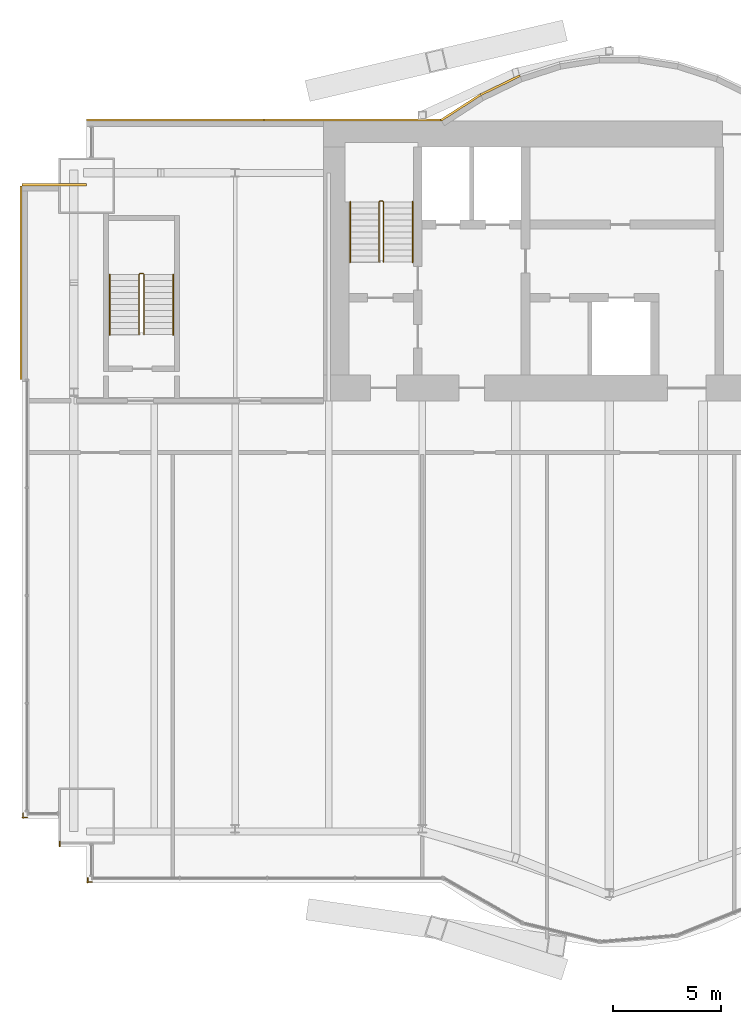
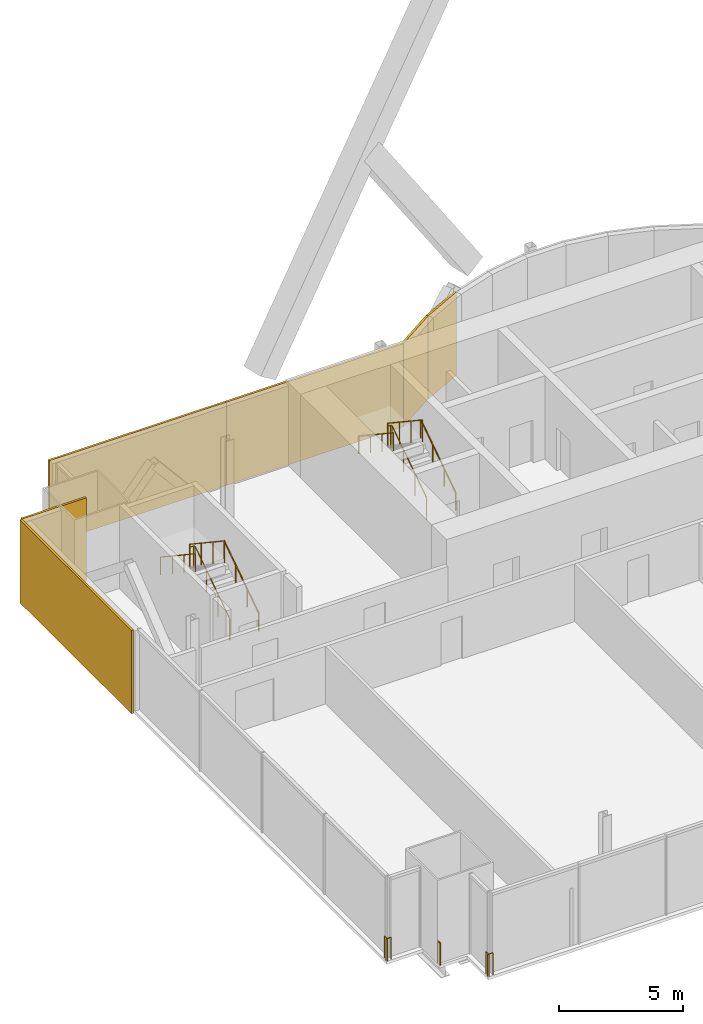
# One storey, part 21 of 23: 9 railings, 6 coverings.
"""IFC4 building model written with IfcOpenShell, lengths in metres."""

from ifc_helpers import new_model, si_unit, direction, frame, origin, origin_2d, place, context, subcontext, project, spatial, rectangle, circle, extrude, material, layer, layer_set, type_object, element, save


model = new_model("IFC4")

# Units and contexts
model_context = context("Model", 3, precision=1e-05, world=origin(), true_north=direction((0.0, 1.0)))
body_context = subcontext(model_context, "Body", "Model", "MODEL_VIEW")
ifc_project = project(units=[si_unit("LENGTHUNIT", "METRE"), si_unit("AREAUNIT", "SQUARE_METRE"), si_unit("VOLUMEUNIT", "CUBIC_METRE"), si_unit("PLANEANGLEUNIT", "RADIAN"), si_unit("MASSUNIT", "GRAM", prefix="KILO")], contexts=[model_context])

# Site, building, storey
site_placement = place(None, origin())
site = spatial("IfcSite", under=ifc_project, at=site_placement, CompositionType="ELEMENT")
building_placement = place(site_placement, origin())
building = spatial("IfcBuilding", under=site, at=building_placement, Name="Bicima Exchange Tower", CompositionType="ELEMENT")
storey_placement = place(building_placement, frame((0.0, 0.0, 152.699951171875)))
storey = spatial("IfcBuildingStorey", under=building, at=storey_placement, Name="L33", CompositionType="ELEMENT", Elevation=152.699951171875)

# Coverings
ifc_material_1 = material(Name="Bronze metal cladding")
ifc_layer_1 = layer(ifc_material_1, 0.004)
ifc_material_2 = material(Name="Ventilated cavity")
ifc_layer_2 = layer(ifc_material_2, 0.06)
ifc_material_3 = material(Name="Galvanised steel rail and mineral wool", Category="steel")
ifc_layer_3 = layer(ifc_material_3, 0.036)
ifc_layer_set = layer_set([ifc_layer_1, ifc_layer_2, ifc_layer_3], Name="Ventilated cavity")
covering_type = type_object("IfcCoveringType", Name="Bronze metal cladding panel 100", PredefinedType="CLADDING", material=ifc_layer_set)
covering_1_placement = place(storey_placement, frame((-13.771728515625, 1.674560546875, -0.14990234375), z_axis=(0.0, 0.0, 1.0), x_axis=(-0.899818346812, -0.436264762204, 0.0)))
element("IfcCovering", 1, at=covering_1_placement, inside=storey, type_object=covering_type, Name="Bronze cladding L33 18.1", PredefinedType="CLADDING", context=body_context, shape_type="SweptSolid", body=[
    extrude(rectangle(XDim=2.03759765625, YDim=0.10009765625, at=origin_2d()), origin(), (0.0, 0.0, 1.0), 4.10009765625),
])
covering_2_placement = place(storey_placement, frame((-15.610595703125, 0.634521484375, -0.14990234375), z_axis=(0.0, 0.0, 1.0), x_axis=(-0.839790466384, -0.542910648791, 0.0)))
element("IfcCovering", 2, at=covering_2_placement, inside=storey, type_object=covering_type, Name="Bronze cladding L33 19.1", PredefinedType="CLADDING", context=body_context, shape_type="SweptSolid", body=[
    extrude(rectangle(XDim=2.18310546875, YDim=0.10009765625, at=origin_2d()), origin(), (0.0, 0.0, 1.0), 4.10009765625),
])
for number, where, z_axis, x_axis, name in (
    (3, (-20.625, 0.050048828125, -0.14990234375), (0.0, 0.0, 1.0), (-1.0, 0.0, 0.0), "Bronze cladding L33 20.1"),
    (4, (-28.875, 0.050048828125, -0.14990234375), (0.0, 0.0, 1.0), (-1.0, 0.0, 0.0), "Bronze cladding L33 20.2"),
):
    element("IfcCovering", number, at=place(storey_placement, frame(where, z_axis=z_axis, x_axis=x_axis)), inside=storey, type_object=covering_type, Name=name, PredefinedType="CLADDING", context=body_context, shape_type="SweptSolid", body=[
        extrude(rectangle(XDim=8.25, YDim=0.10009765625, at=origin_2d()), origin(), (0.0, 0.0, 1.0), 4.10009765625),
    ])
covering_3_placement = place(storey_placement, frame((-34.5, -2.949951171875, -0.14990234375), z_axis=(0.0, 0.0, 1.0), x_axis=(-1.0, 0.0, 0.0)))
element("IfcCovering", 5, at=covering_3_placement, inside=storey, type_object=covering_type, Name="Bronze cladding L33 22.1", PredefinedType="CLADDING", context=body_context, shape_type="SweptSolid", body=[
    extrude(rectangle(XDim=3.0, YDim=0.10009765625, at=origin_2d()), origin(), (0.0, 0.0, 1.0), 4.10009765625),
])
covering_4_placement = place(storey_placement, frame((-36.050048828125, -7.5, -0.14990234375), z_axis=(0.0, 0.0, 1.0), x_axis=(0.0, -1.0, 0.0)))
element("IfcCovering", 6, at=covering_4_placement, inside=storey, type_object=covering_type, Name="Bronze cladding L33 23.1", PredefinedType="CLADDING", context=body_context, shape_type="SweptSolid", body=[
    extrude(rectangle(XDim=9.0, YDim=0.10009765625, at=origin_2d()), origin(), (0.0, 0.0, 1.0), 4.10009765625),
])

# Railings
ifc_material_4 = material(Name="Stainless steel and bonded safety glass", Category="steel")
railing_type_1 = type_object("IfcRailingType", Name="Edge guard 1100", PredefinedType="GUARDRAIL", material=ifc_material_4)
railing_1_placement = place(storey_placement, frame((-35.757080078125, -32.362060546875, 0.0)))
element("IfcRailing", 7, at=railing_1_placement, inside=storey, type_object=railing_type_1, Name="Edge guard L33 161", PredefinedType="GUARDRAIL", context=body_context, shape_type="SweptSolid", body=[
    extrude(circle(Radius=0.02392578125, at=origin_2d()), frame((0.0, 0.0, 1.076171875), z_axis=(-1.0, 0.0, 0.0), x_axis=(0.0, -1.0, 0.0)), (0.0, 0.0, 1.0), 0.242919921875),
    extrude(circle(Radius=0.02392578125, at=origin_2d()), frame((-0.242919921875, 0.0, 1.076171875), z_axis=(0.707106781187, -0.707106781187, 0.0), x_axis=(0.707106781187, 0.707106781187, 0.0)), (0.0, 0.0, 1.0), 0.07080078125),
    extrude(circle(Radius=0.02392578125, at=origin_2d()), frame((-0.19287109375, -0.050048828125, 1.076171875), z_axis=(0.0, 1.0, 0.0), x_axis=(-1.0, 0.0, 0.0)), (0.0, 0.0, 1.0), 0.2490234375),
    extrude(circle(Radius=0.02099609375, at=origin_2d()), origin(), (0.0, 0.0, 1.0), 1.052001953125),
    extrude(circle(Radius=0.02099609375, at=origin_2d()), frame((-0.242919921875, 0.0, 0.0)), (0.0, 0.0, 1.0), 1.052001953125),
    extrude(circle(Radius=0.02099609375, at=origin_2d()), frame((-0.19287109375, -0.050048828125, 0.0)), (0.0, 0.0, 1.0), 1.052001953125),
    extrude(circle(Radius=0.02099609375, at=origin_2d()), frame((-0.19287109375, 0.198974609375, 0.0)), (0.0, 0.0, 1.0), 1.052001953125),
])
railing_2_placement = place(storey_placement, frame((-32.75, -35.362060546875, 0.0)))
element("IfcRailing", 8, at=railing_2_placement, inside=storey, type_object=railing_type_1, Name="Edge guard L33 165", PredefinedType="GUARDRAIL", context=body_context, shape_type="SweptSolid", body=[
    extrude(circle(Radius=0.02392578125, at=origin_2d()), frame((0.0, 0.0, 1.076171875), z_axis=(-1.0, 0.0, 0.0), x_axis=(0.0, -1.0, 0.0)), (0.0, 0.0, 1.0), 0.25),
    extrude(circle(Radius=0.02392578125, at=origin_2d()), frame((-0.25, 0.0, 1.076171875), z_axis=(0.707106781187, -0.707106781187, 0.0), x_axis=(0.707106781187, 0.707106781187, 0.0)), (0.0, 0.0, 1.0), 0.07080078125),
    extrude(circle(Radius=0.02392578125, at=origin_2d()), frame((-0.199951171875, -0.050048828125, 1.076171875), z_axis=(0.0, 1.0, 0.0), x_axis=(-1.0, 0.0, 0.0)), (0.0, 0.0, 1.0), 0.2431640625),
    extrude(circle(Radius=0.02099609375, at=origin_2d()), origin(), (0.0, 0.0, 1.0), 1.052001953125),
    extrude(circle(Radius=0.02099609375, at=origin_2d()), frame((-0.25, 0.0, 0.0)), (0.0, 0.0, 1.0), 1.052001953125),
    extrude(circle(Radius=0.02099609375, at=origin_2d()), frame((-0.199951171875, -0.050048828125, 0.0)), (0.0, 0.0, 1.0), 1.052001953125),
    extrude(circle(Radius=0.02099609375, at=origin_2d()), frame((-0.199951171875, 0.193115234375, 0.0)), (0.0, 0.0, 1.0), 1.052001953125),
])
railing_3_placement = place(storey_placement, frame((-34.25, -33.7119140625, 0.0)))
element("IfcRailing", 9, at=railing_3_placement, inside=storey, type_object=railing_type_1, Name="Edge guard L33 166", PredefinedType="GUARDRAIL", context=body_context, shape_type="SweptSolid", body=[
    extrude(circle(Radius=0.02392578125, at=origin_2d()), frame((0.0, 0.0, 1.076171875), z_axis=(0.0, 1.0, 0.0), x_axis=(-1.0, 0.0, 0.0)), (0.0, 0.0, 1.0), 0.216796875),
    extrude(circle(Radius=0.02099609375, at=origin_2d()), origin(), (0.0, 0.0, 1.0), 1.052001953125),
    extrude(circle(Radius=0.02099609375, at=origin_2d()), frame((0.0, 0.216796875, 0.0)), (0.0, 0.0, 1.0), 1.052001953125),
])
ifc_material_5 = material(Name="Stainless steel", Category="steel")
railing_type_2 = type_object("IfcRailingType", Name="Stair guard 1100", PredefinedType="GUARDRAIL", material=ifc_material_5)
railing_4_placement = place(storey_placement, frame((-19.199951171875, -6.550048828125, 0.1865234375)))
element("IfcRailing", 10, at=railing_4_placement, inside=storey, type_object=railing_type_2, Name="L33 ST-W stair guard 1", PredefinedType="GUARDRAIL", context=body_context, shape_type="SweptSolid", body=[
    extrude(circle(Radius=0.02392578125, at=origin_2d()), frame((0.0, 0.0, 1.076171875), z_axis=(0.0, 0.832485552168, 0.554046753832), x_axis=(-1.0, 0.0, 0.0)), (0.0, 0.0, 1.0), 3.363525390625),
    extrude(circle(Radius=0.02392578125, at=origin_2d()), frame((0.0, 2.800048828125, 2.939453125), z_axis=(-0.707106781187, 0.707106781187, 0.0), x_axis=(-0.707106781187, -0.707106781187, 0.0)), (0.0, 0.0, 1.0), 0.07080078125),
    extrude(circle(Radius=0.02392578125, at=origin_2d()), frame((-0.050048828125, 2.85009765625, 2.939453125), z_axis=(-1.0, 0.0, 0.0), x_axis=(0.0, -1.0, 0.0)), (0.0, 0.0, 1.0), 0.10009765625),
    extrude(circle(Radius=0.02392578125, at=origin_2d()), frame((-0.150146484375, 2.85009765625, 2.939453125), z_axis=(-0.250008635948, -0.251234168477, 0.935081319748), x_axis=(0.708833529934, -0.705375805398, 0.0)), (0.0, 0.0, 1.0), 0.19921875),
    extrude(circle(Radius=0.02392578125, at=origin_2d()), frame((-0.199951171875, 2.800048828125, 3.1259765625), z_axis=(0.0, -0.832452072856, 0.554097055034), x_axis=(1.0, 0.0, 0.0)), (0.0, 0.0, 1.0), 3.363525390625),
    extrude(circle(Radius=0.02099609375, at=origin_2d()), origin(), (0.0, 0.0, 1.0), 1.052001953125),
    extrude(circle(Radius=0.02099609375, at=origin_2d()), frame((0.0, 0.933349609375, 0.62109375)), (0.0, 0.0, 1.0), 1.052001953125),
    extrude(circle(Radius=0.02099609375, at=origin_2d()), frame((0.0, 1.86669921875, 1.242431640625)), (0.0, 0.0, 1.0), 1.052001953125),
    extrude(circle(Radius=0.02099609375, at=origin_2d()), frame((0.0, 2.800048828125, 1.863525390625)), (0.0, 0.0, 1.0), 1.052001953125),
    extrude(circle(Radius=0.02099609375, at=origin_2d()), frame((-0.050048828125, 2.85009765625, 1.863525390625)), (0.0, 0.0, 1.0), 1.052001953125),
    extrude(circle(Radius=0.02099609375, at=origin_2d()), frame((-0.150146484375, 2.85009765625, 1.863525390625)), (0.0, 0.0, 1.0), 1.052001953125),
    extrude(circle(Radius=0.02099609375, at=origin_2d()), frame((-0.199951171875, 2.800048828125, 2.0498046875)), (0.0, 0.0, 1.0), 1.052001953125),
    extrude(circle(Radius=0.02099609375, at=origin_2d()), frame((-0.199951171875, 1.86669921875, 2.671142578125)), (0.0, 0.0, 1.0), 1.052001953125),
    extrude(circle(Radius=0.02099609375, at=origin_2d()), frame((-0.199951171875, 0.933349609375, 3.292236328125)), (0.0, 0.0, 1.0), 1.052001953125),
    extrude(circle(Radius=0.02099609375, at=origin_2d()), frame((-0.199951171875, 0.0, 3.91357421875)), (0.0, 0.0, 1.0), 1.052001953125),
])
railing_5_placement = place(storey_placement, frame((-30.324951171875, -9.925048828125, 0.1865234375)))
element("IfcRailing", 11, at=railing_5_placement, inside=storey, type_object=railing_type_2, Name="L33 ST-WW stair guard 1", PredefinedType="GUARDRAIL", context=body_context, shape_type="SweptSolid", body=[
    extrude(circle(Radius=0.02392578125, at=origin_2d()), frame((0.0, 0.0, 1.076171875), z_axis=(0.0, 0.832485552168, 0.554046753832), x_axis=(-1.0, 0.0, 0.0)), (0.0, 0.0, 1.0), 3.363525390625),
    extrude(circle(Radius=0.02392578125, at=origin_2d()), frame((0.0, 2.800048828125, 2.939453125), z_axis=(-0.707106781187, 0.707106781187, 0.0), x_axis=(-0.707106781187, -0.707106781187, 0.0)), (0.0, 0.0, 1.0), 0.07080078125),
    extrude(circle(Radius=0.02392578125, at=origin_2d()), frame((-0.050048828125, 2.85009765625, 2.939453125), z_axis=(-1.0, 0.0, 0.0), x_axis=(0.0, -1.0, 0.0)), (0.0, 0.0, 1.0), 0.14990234375),
    extrude(circle(Radius=0.02392578125, at=origin_2d()), frame((-0.199951171875, 2.85009765625, 2.939453125), z_axis=(-0.251157038772, -0.251157038772, 0.934794246747), x_axis=(0.707106781187, -0.707106781187, 0.0)), (0.0, 0.0, 1.0), 0.19921875),
    extrude(circle(Radius=0.02392578125, at=origin_2d()), frame((-0.25, 2.800048828125, 3.1259765625), z_axis=(0.0, -0.832452072856, 0.554097055034), x_axis=(1.0, 0.0, 0.0)), (0.0, 0.0, 1.0), 3.363525390625),
    extrude(circle(Radius=0.02099609375, at=origin_2d()), origin(), (0.0, 0.0, 1.0), 1.052001953125),
    extrude(circle(Radius=0.02099609375, at=origin_2d()), frame((0.0, 0.933349609375, 0.62109375)), (0.0, 0.0, 1.0), 1.052001953125),
    extrude(circle(Radius=0.02099609375, at=origin_2d()), frame((0.0, 1.86669921875, 1.242431640625)), (0.0, 0.0, 1.0), 1.052001953125),
    extrude(circle(Radius=0.02099609375, at=origin_2d()), frame((0.0, 2.800048828125, 1.863525390625)), (0.0, 0.0, 1.0), 1.052001953125),
    extrude(circle(Radius=0.02099609375, at=origin_2d()), frame((-0.050048828125, 2.85009765625, 1.863525390625)), (0.0, 0.0, 1.0), 1.052001953125),
    extrude(circle(Radius=0.02099609375, at=origin_2d()), frame((-0.199951171875, 2.85009765625, 1.863525390625)), (0.0, 0.0, 1.0), 1.052001953125),
    extrude(circle(Radius=0.02099609375, at=origin_2d()), frame((-0.25, 2.800048828125, 2.0498046875)), (0.0, 0.0, 1.0), 1.052001953125),
    extrude(circle(Radius=0.02099609375, at=origin_2d()), frame((-0.25, 1.86669921875, 2.671142578125)), (0.0, 0.0, 1.0), 1.052001953125),
    extrude(circle(Radius=0.02099609375, at=origin_2d()), frame((-0.25, 0.933349609375, 3.292236328125)), (0.0, 0.0, 1.0), 1.052001953125),
    extrude(circle(Radius=0.02099609375, at=origin_2d()), frame((-0.25, 0.0, 3.91357421875)), (0.0, 0.0, 1.0), 1.052001953125),
])
railing_type_3 = type_object("IfcRailingType", Name="Stair handrail 900", PredefinedType="HANDRAIL", material=ifc_material_5)
railing_6_placement = place(storey_placement, frame((-17.85009765625, -6.550048828125, 0.1865234375)))
element("IfcRailing", 12, at=railing_6_placement, inside=storey, type_object=railing_type_3, Name="L33 ST-W stair handrail 1", PredefinedType="HANDRAIL", context=body_context, shape_type="SweptSolid", body=[
    extrude(circle(Radius=0.02392578125, at=origin_2d()), frame((0.0, 0.0, 0.8759765625), z_axis=(0.0, 0.832485552168, 0.554046753832), x_axis=(-1.0, 0.0, 0.0)), (0.0, 0.0, 1.0), 3.363525390625),
    extrude(circle(Radius=0.02099609375, at=origin_2d()), origin(), (0.0, 0.0, 1.0), 0.851806640625),
    extrude(circle(Radius=0.02099609375, at=origin_2d()), frame((0.0, 0.933349609375, 0.62109375)), (0.0, 0.0, 1.0), 0.851806640625),
    extrude(circle(Radius=0.02099609375, at=origin_2d()), frame((0.0, 1.86669921875, 1.242431640625)), (0.0, 0.0, 1.0), 0.851806640625),
    extrude(circle(Radius=0.02099609375, at=origin_2d()), frame((0.0, 2.800048828125, 1.863525390625)), (0.0, 0.0, 1.0), 0.851806640625),
])
railing_7_placement = place(storey_placement, frame((-20.75, -3.75, 2.27685546875)))
element("IfcRailing", 13, at=railing_7_placement, inside=storey, type_object=railing_type_3, Name="L33 ST-W stair handrail 2", PredefinedType="HANDRAIL", context=body_context, shape_type="SweptSolid", body=[
    extrude(circle(Radius=0.02392578125, at=origin_2d()), frame((0.0, 0.0, 0.8759765625), z_axis=(0.0, -0.832485552168, 0.554046753832), x_axis=(1.0, 0.0, 0.0)), (0.0, 0.0, 1.0), 3.363525390625),
    extrude(circle(Radius=0.02099609375, at=origin_2d()), origin(), (0.0, 0.0, 1.0), 0.851806640625),
    extrude(circle(Radius=0.02099609375, at=origin_2d()), frame((0.0, -0.933349609375, 0.62109375)), (0.0, 0.0, 1.0), 0.851806640625),
    extrude(circle(Radius=0.02099609375, at=origin_2d()), frame((0.0, -1.86669921875, 1.242431640625)), (0.0, 0.0, 1.0), 0.851806640625),
    extrude(circle(Radius=0.02099609375, at=origin_2d()), frame((0.0, -2.800048828125, 1.863525390625)), (0.0, 0.0, 1.0), 0.851806640625),
])
railing_8_placement = place(storey_placement, frame((-28.97509765625, -9.925048828125, 0.1865234375)))
element("IfcRailing", 14, at=railing_8_placement, inside=storey, type_object=railing_type_3, Name="L33 ST-WW stair handrail 1", PredefinedType="HANDRAIL", context=body_context, shape_type="SweptSolid", body=[
    extrude(circle(Radius=0.02392578125, at=origin_2d()), frame((0.0, 0.0, 0.8759765625), z_axis=(0.0, 0.832485552168, 0.554046753832), x_axis=(-1.0, 0.0, 0.0)), (0.0, 0.0, 1.0), 3.363525390625),
    extrude(circle(Radius=0.02099609375, at=origin_2d()), origin(), (0.0, 0.0, 1.0), 0.851806640625),
    extrude(circle(Radius=0.02099609375, at=origin_2d()), frame((0.0, 0.933349609375, 0.62109375)), (0.0, 0.0, 1.0), 0.851806640625),
    extrude(circle(Radius=0.02099609375, at=origin_2d()), frame((0.0, 1.86669921875, 1.242431640625)), (0.0, 0.0, 1.0), 0.851806640625),
    extrude(circle(Radius=0.02099609375, at=origin_2d()), frame((0.0, 2.800048828125, 1.863525390625)), (0.0, 0.0, 1.0), 0.851806640625),
])
railing_9_placement = place(storey_placement, frame((-31.925048828125, -7.125, 2.27685546875)))
element("IfcRailing", 15, at=railing_9_placement, inside=storey, type_object=railing_type_3, Name="L33 ST-WW stair handrail 2", PredefinedType="HANDRAIL", context=body_context, shape_type="SweptSolid", body=[
    extrude(circle(Radius=0.02392578125, at=origin_2d()), frame((0.0, 0.0, 0.8759765625), z_axis=(0.0, -0.832485552168, 0.554046753832), x_axis=(1.0, 0.0, 0.0)), (0.0, 0.0, 1.0), 3.363525390625),
    extrude(circle(Radius=0.02099609375, at=origin_2d()), origin(), (0.0, 0.0, 1.0), 0.851806640625),
    extrude(circle(Radius=0.02099609375, at=origin_2d()), frame((0.0, -0.933349609375, 0.62109375)), (0.0, 0.0, 1.0), 0.851806640625),
    extrude(circle(Radius=0.02099609375, at=origin_2d()), frame((0.0, -1.86669921875, 1.242431640625)), (0.0, 0.0, 1.0), 0.851806640625),
    extrude(circle(Radius=0.02099609375, at=origin_2d()), frame((0.0, -2.800048828125, 1.863525390625)), (0.0, 0.0, 1.0), 0.851806640625),
])

save(model, "model.ifc")
